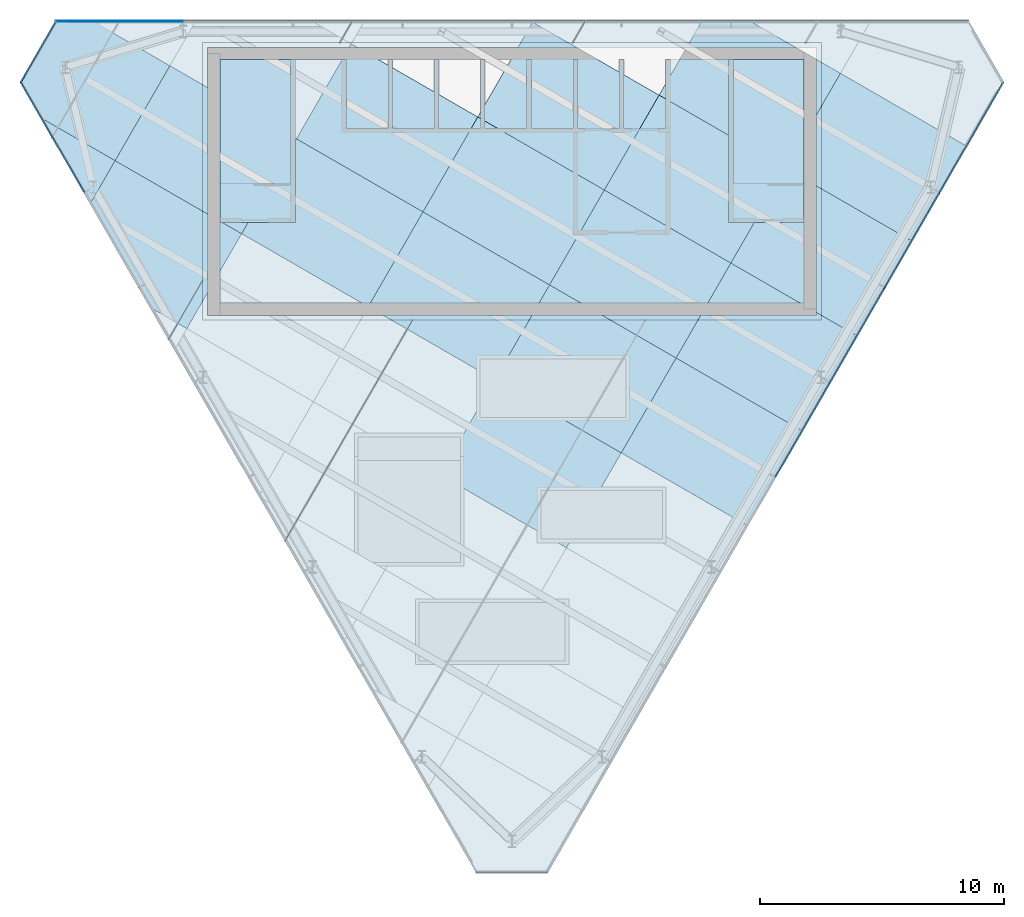
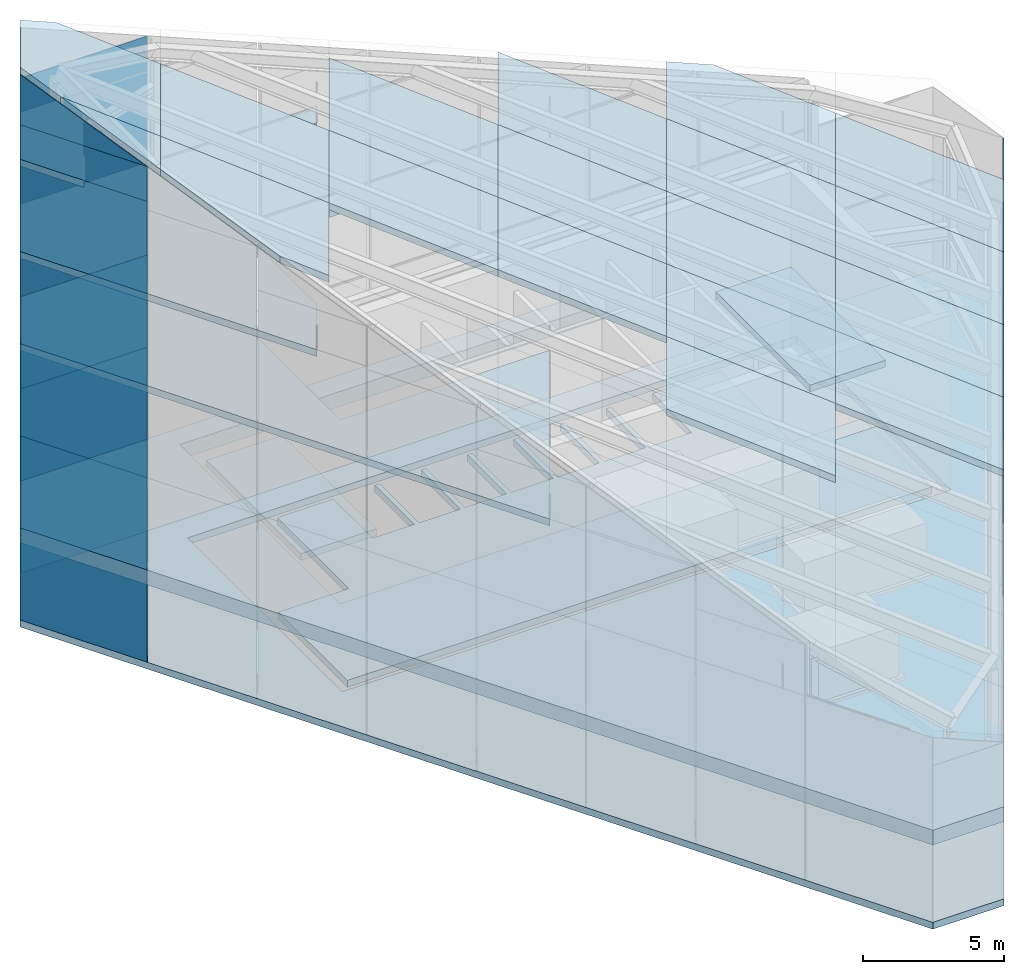
# One storey, part 12 of 16: 45 plates, 8 slabs, 4 elements without a shape of their own.
"""IFC4 building model written with IfcOpenShell, lengths in metres."""

from ifc_helpers import new_model, si_unit, direction, frame, origin, place, context, subcontext, project, spatial, polyline, outline, extrude, material, layer, layer_set, type_object, element, aggregate, save


model = new_model("IFC4")

# Units and contexts
model_context = context("Model", 3, precision=1e-05, world=origin(), true_north=direction((0.0, 1.0)))
body_context = subcontext(model_context, "Body", "Model", "MODEL_VIEW")
ifc_project = project(units=[si_unit("LENGTHUNIT", "METRE"), si_unit("AREAUNIT", "SQUARE_METRE"), si_unit("VOLUMEUNIT", "CUBIC_METRE"), si_unit("PLANEANGLEUNIT", "RADIAN"), si_unit("MASSUNIT", "GRAM", prefix="KILO")], contexts=[model_context])

# Site, building, storey
site_placement = place(None, origin())
site = spatial("IfcSite", under=ifc_project, at=site_placement, CompositionType="ELEMENT")
building_placement = place(site_placement, origin())
building = spatial("IfcBuilding", under=site, at=building_placement, Name="Altiplano Prism Tower", CompositionType="ELEMENT")
storey_placement = place(building_placement, frame((0.0, 0.0, 358.0)))
storey = spatial("IfcBuildingStorey", under=building, at=storey_placement, Name="Crown", CompositionType="ELEMENT", Elevation=358.0)

# Curtain wall, plates
ifc_material_1 = material(Name="Aluminium and glass", Category="aluminium")
ifc_layer_1 = layer(ifc_material_1, 0.25)
ifc_layer_set_1 = layer_set([ifc_layer_1], Name="Aluminium and glass")
curtain_wall_type = type_object("IfcCurtainWallType", Name="CW5 crown glazing", PredefinedType="NOTDEFINED", material=ifc_layer_set_1)
curtain_wall_1_placement = place(storey_placement, origin())
curtain_wall_1 = element("IfcCurtainWall", 1, at=curtain_wall_1_placement, inside=storey, type_object=curtain_wall_type, Name="CW5 crown glazing face 1", PredefinedType="NOTDEFINED")
ifc_material_2 = material(Name="Clear glass", Category="glass")
ifc_layer_2 = layer(ifc_material_2, 0.0400390625)
ifc_layer_set_2 = layer_set([ifc_layer_2], Name="Clear glass")
plate_type_1 = type_object("IfcPlateType", Name="CW5 insulated glass unit 40", PredefinedType="CURTAIN_PANEL", material=ifc_layer_set_2)
plate_1_placement = place(storey_placement, frame((71.47509765625, 105.0, 4.0), z_axis=(0.0, 1.0, 0.0), x_axis=(-1.0, 0.0, 0.0)))
plate_1 = element("IfcPlate", 2, at=plate_1_placement, type_object=plate_type_1, Name="CW5 panel", PredefinedType="CURTAIN_PANEL", context=body_context, shape_type="SweptSolid", body=[
    extrude(outline(polyline([(0.0, 0.0), (5.2109375, 0.0), (5.2109375, 4.0), (0.0, 4.0), (0.0, 0.0)])), origin(), (0.0, 0.0, -1.0), 0.0400390625),
])
plate_2_placement = place(storey_placement, frame((71.47509765625, 105.0, 8.0), z_axis=(0.0, 1.0, 0.0), x_axis=(-1.0, 0.0, 0.0)))
plate_2 = element("IfcPlate", 3, at=plate_2_placement, type_object=plate_type_1, Name="CW5 panel", PredefinedType="CURTAIN_PANEL", context=body_context, shape_type="SweptSolid", body=[
    extrude(outline(polyline([(0.0, 0.0), (5.2109375, 0.0), (5.2109375, 4.0), (0.0, 4.0), (0.0, 0.0)])), origin(), (0.0, 0.0, -1.0), 0.0400390625),
])
plate_3_placement = place(storey_placement, frame((71.47509765625, 105.0, 12.0), z_axis=(0.0, 1.0, 0.0), x_axis=(-1.0, 0.0, 0.0)))
plate_3 = element("IfcPlate", 4, at=plate_3_placement, type_object=plate_type_1, Name="CW5 panel", PredefinedType="CURTAIN_PANEL", context=body_context, shape_type="SweptSolid", body=[
    extrude(outline(polyline([(0.0, 0.0), (5.2109375, 0.0), (5.2109375, 4.0), (0.0, 4.0), (0.0, 0.0)])), origin(), (0.0, 0.0, -1.0), 0.0400390625),
])
plate_4_placement = place(storey_placement, frame((71.47509765625, 105.0, 16.0), z_axis=(0.0, 1.0, 0.0), x_axis=(-1.0, 0.0, 0.0)))
plate_4 = element("IfcPlate", 5, at=plate_4_placement, type_object=plate_type_1, Name="CW5 panel", PredefinedType="CURTAIN_PANEL", context=body_context, shape_type="SweptSolid", body=[
    extrude(outline(polyline([(0.0, 0.0), (5.2109375, 0.0), (5.2109375, 4.0), (0.0, 4.0), (0.0, 0.0)])), origin(), (0.0, 0.0, -1.0), 0.0400390625),
])
plate_5_placement = place(storey_placement, frame((71.47509765625, 105.0, 20.0), z_axis=(0.0, 1.0, 0.0), x_axis=(-1.0, 0.0, 0.0)))
plate_5 = element("IfcPlate", 6, at=plate_5_placement, type_object=plate_type_1, Name="CW5 panel", PredefinedType="CURTAIN_PANEL", context=body_context, shape_type="SweptSolid", body=[
    extrude(outline(polyline([(0.0, 0.0), (5.2109375, 0.0), (5.2109375, 1.50830078125), (0.0, 1.50830078125), (0.0, 0.0)])), origin(), (0.0, 0.0, -1.0), 0.0400390625),
])

curtain_wall_2_placement = place(storey_placement, origin())
curtain_wall_2 = element("IfcCurtainWall", 7, at=curtain_wall_2_placement, inside=storey, type_object=curtain_wall_type, Name="CW5 crown glazing chamfer 1", PredefinedType="NOTDEFINED")
plate_6_placement = place(storey_placement, frame((66.256591796875, 104.99560546875, 4.0), z_axis=(-0.866052996912, 0.499952204256, 0.0), x_axis=(-0.499952204256, -0.866052996912, 0.0)))
plate_6 = element("IfcPlate", 8, at=plate_6_placement, type_object=plate_type_1, Name="CW5 panel", PredefinedType="CURTAIN_PANEL", context=body_context, shape_type="SweptSolid", body=[
    extrude(outline(polyline([(0.0, 0.0), (2.912841796875, 0.0), (2.912841796875, 4.0), (0.0, 4.0), (0.0, 0.0)])), origin(), (0.0, 0.0, -1.0), 0.0400390625),
])
plate_7_placement = place(storey_placement, frame((66.256591796875, 104.99560546875, 8.0), z_axis=(-0.866052996912, 0.499952204256, 0.0), x_axis=(-0.499952204256, -0.866052996912, 0.0)))
plate_7 = element("IfcPlate", 9, at=plate_7_placement, type_object=plate_type_1, Name="CW5 panel", PredefinedType="CURTAIN_PANEL", context=body_context, shape_type="SweptSolid", body=[
    extrude(outline(polyline([(0.0, 0.0), (2.912841796875, 0.0), (2.912841796875, 4.0), (0.0, 4.0), (0.0, 0.0)])), origin(), (0.0, 0.0, -1.0), 0.0400390625),
])
plate_8_placement = place(storey_placement, frame((66.256591796875, 104.99560546875, 12.0), z_axis=(-0.866052996912, 0.499952204256, 0.0), x_axis=(-0.499952204256, -0.866052996912, 0.0)))
plate_8 = element("IfcPlate", 10, at=plate_8_placement, type_object=plate_type_1, Name="CW5 panel", PredefinedType="CURTAIN_PANEL", context=body_context, shape_type="SweptSolid", body=[
    extrude(outline(polyline([(0.0, 0.0), (2.912841796875, 0.0), (2.912841796875, 4.0), (0.0, 4.0), (0.0, 0.0)])), origin(), (0.0, 0.0, -1.0), 0.0400390625),
])
plate_9_placement = place(storey_placement, frame((66.256591796875, 104.99560546875, 16.0), z_axis=(-0.866052996912, 0.499952204256, 0.0), x_axis=(-0.499952204256, -0.866052996912, 0.0)))
plate_9 = element("IfcPlate", 11, at=plate_9_placement, type_object=plate_type_1, Name="CW5 panel", PredefinedType="CURTAIN_PANEL", context=body_context, shape_type="SweptSolid", body=[
    extrude(outline(polyline([(0.0, 0.0), (2.912841796875, 0.0), (2.912841796875, 4.0), (0.0, 4.0), (0.0, 0.0)])), origin(), (0.0, 0.0, -1.0), 0.0400390625),
])
plate_10_placement = place(storey_placement, frame((66.256591796875, 104.99560546875, 20.0), z_axis=(-0.866052996912, 0.499952204256, 0.0), x_axis=(-0.499952204256, -0.866052996912, 0.0)))
plate_10 = element("IfcPlate", 12, at=plate_10_placement, type_object=plate_type_1, Name="CW5 panel", PredefinedType="CURTAIN_PANEL", context=body_context, shape_type="SweptSolid", body=[
    extrude(outline(polyline([(0.0, 0.0), (2.912841796875, 0.0), (2.912841796875, 3.68994140625), (0.0, 3.68994140625), (0.0, 0.0)])), origin(), (0.0, 0.0, -1.0), 0.0400390625),
])

curtain_wall_3_placement = place(storey_placement, origin())
curtain_wall_3 = element("IfcCurtainWall", 13, at=curtain_wall_3_placement, inside=storey, type_object=curtain_wall_type, Name="CW5 crown glazing face 2", PredefinedType="NOTDEFINED")
plate_11_placement = place(storey_placement, frame((64.80029296875, 102.46435546875, 4.0), z_axis=(-0.86605217628, -0.499953625809, 0.0), x_axis=(0.499953625809, -0.86605217628, 0.0)))
plate_11 = element("IfcPlate", 14, at=plate_11_placement, type_object=plate_type_1, Name="CW5 panel", PredefinedType="CURTAIN_PANEL", context=body_context, shape_type="SweptSolid", body=[
    extrude(outline(polyline([(0.0, 0.0), (5.2109375, 0.0), (5.2109375, 4.0), (0.0, 4.0), (0.0, 0.0)])), origin(), (0.0, 0.0, -1.0), 0.0400390625),
])
plate_12_placement = place(storey_placement, frame((64.80029296875, 102.46435546875, 8.0), z_axis=(-0.86605217628, -0.499953625809, 0.0), x_axis=(0.499953625809, -0.86605217628, 0.0)))
plate_12 = element("IfcPlate", 15, at=plate_12_placement, type_object=plate_type_1, Name="CW5 panel", PredefinedType="CURTAIN_PANEL", context=body_context, shape_type="SweptSolid", body=[
    extrude(outline(polyline([(0.0, 0.0), (5.2109375, 0.0), (5.2109375, 4.0), (0.0, 4.0), (0.0, 0.0)])), origin(), (0.0, 0.0, -1.0), 0.0400390625),
])
plate_13_placement = place(storey_placement, frame((64.80029296875, 102.46435546875, 12.0), z_axis=(-0.86605217628, -0.499953625809, 0.0), x_axis=(0.499953625809, -0.86605217628, 0.0)))
plate_13 = element("IfcPlate", 16, at=plate_13_placement, type_object=plate_type_1, Name="CW5 panel", PredefinedType="CURTAIN_PANEL", context=body_context, shape_type="SweptSolid", body=[
    extrude(outline(polyline([(0.0, 0.0), (5.2109375, 0.0), (5.2109375, 4.0), (0.0, 4.0), (0.0, 0.0)])), origin(), (0.0, 0.0, -1.0), 0.0400390625),
])
plate_14_placement = place(storey_placement, frame((64.80029296875, 102.46435546875, 16.0), z_axis=(-0.86605217628, -0.499953625809, 0.0), x_axis=(0.499953625809, -0.86605217628, 0.0)))
plate_14 = element("IfcPlate", 17, at=plate_14_placement, type_object=plate_type_1, Name="CW5 panel", PredefinedType="CURTAIN_PANEL", context=body_context, shape_type="SweptSolid", body=[
    extrude(outline(polyline([(0.0, 0.0), (5.2109375, 0.0), (5.2109375, 4.0), (0.0, 4.0), (0.0, 0.0)])), origin(), (0.0, 0.0, -1.0), 0.0400390625),
])
plate_15_placement = place(storey_placement, frame((64.80029296875, 102.46435546875, 20.0), z_axis=(-0.86605217628, -0.499953625809, 0.0), x_axis=(0.499953625809, -0.86605217628, 0.0)))
plate_15 = element("IfcPlate", 18, at=plate_15_placement, type_object=plate_type_1, Name="CW5 panel", PredefinedType="CURTAIN_PANEL", context=body_context, shape_type="SweptSolid", body=[
    extrude(outline(polyline([(0.0, 0.0), (5.2109375, 0.0), (5.2109375, 1.50830078125), (0.0, 1.50830078125), (0.0, 0.0)])), origin(), (0.0, 0.0, -1.0), 0.0400390625),
])
plate_16_placement = place(storey_placement, frame((64.80029296875, 102.46435546875, 23.68798828125), z_axis=(-0.86605217628, -0.499953625809, 0.0), x_axis=(0.0, 0.0, -1.0)))
plate_16 = element("IfcPlate", 19, at=plate_16_placement, type_object=plate_type_1, Name="CW5 panel", PredefinedType="CURTAIN_PANEL", context=body_context, shape_type="SweptSolid", body=[
    extrude(outline(polyline([(0.0, 0.0), (2.1796875, 0.0), (2.1796875, 5.2109375), (0.0, 0.0)])), origin(), (0.0, 0.0, -1.0), 0.0400390625),
])

curtain_wall_4_placement = place(storey_placement, origin())
curtain_wall_4 = element("IfcCurtainWall", 20, at=curtain_wall_4_placement, inside=storey, type_object=curtain_wall_type, Name="CW5 crown glazing face 3", PredefinedType="NOTDEFINED")
plate_17_placement = place(storey_placement, frame((95.844482421875, 86.26025390625, 4.0), z_axis=(0.866036664382, -0.499980495566, 0.0), x_axis=(0.499980495566, 0.866036664382, 0.0)))
plate_17 = element("IfcPlate", 21, at=plate_17_placement, type_object=plate_type_1, Name="CW5 panel", PredefinedType="CURTAIN_PANEL", context=body_context, shape_type="SweptSolid", body=[
    extrude(outline(polyline([(0.0, 0.0), (4.449951171875, 0.0), (4.449951171875, 2.7900390625), (0.0, 2.7900390625), (0.0, 0.0)])), origin(), (0.0, 0.0, -1.0), 0.0400390625),
])
plate_18_placement = place(storey_placement, frame((98.094482421875, 90.1572265625, 4.0), z_axis=(0.866036664382, -0.499980495566, 0.0), x_axis=(0.499980495566, 0.866036664382, 0.0)))
plate_18 = element("IfcPlate", 22, at=plate_18_placement, type_object=plate_type_1, Name="CW5 panel", PredefinedType="CURTAIN_PANEL", context=body_context, shape_type="SweptSolid", body=[
    extrude(outline(polyline([(0.0, 0.0), (4.449951171875, 0.0), (4.449951171875, 2.7900390625), (0.0, 2.7900390625), (0.0, 0.0)])), origin(), (0.0, 0.0, -1.0), 0.0400390625),
])
plate_19_placement = place(storey_placement, frame((100.344482421875, 94.054443359375, 4.0), z_axis=(0.866036664382, -0.499980495566, 0.0), x_axis=(0.499980495566, 0.866036664382, 0.0)))
plate_19 = element("IfcPlate", 23, at=plate_19_placement, type_object=plate_type_1, Name="CW5 panel", PredefinedType="CURTAIN_PANEL", context=body_context, shape_type="SweptSolid", body=[
    extrude(outline(polyline([(0.0, 0.0), (4.449951171875, 0.0), (4.449951171875, 2.7900390625), (0.0, 2.7900390625), (0.0, 0.0)])), origin(), (0.0, 0.0, -1.0), 0.0400390625),
])
plate_20_placement = place(storey_placement, frame((102.594482421875, 97.951416015625, 4.0), z_axis=(0.86605217628, -0.499953625809, 0.0), x_axis=(0.499953625809, 0.86605217628, 0.0)))
plate_20 = element("IfcPlate", 24, at=plate_20_placement, type_object=plate_type_1, Name="CW5 panel", PredefinedType="CURTAIN_PANEL", context=body_context, shape_type="SweptSolid", body=[
    extrude(outline(polyline([(0.0, 0.0), (5.2109375, 0.0), (5.2109375, 2.7900390625), (0.0, 2.7900390625), (0.0, 0.0)])), origin(), (0.0, 0.0, -1.0), 0.0400390625),
])

# Plate
ifc_material_3 = material(Name="Anodised aluminium", Category="aluminium")
ifc_layer_3 = layer(ifc_material_3, 0.0400390625)
ifc_layer_set_3 = layer_set([ifc_layer_3], Name="Anodised aluminium")
plate_type_2 = type_object("IfcPlateType", Name="CW5 insulated metal spandrel panel 40", PredefinedType="CURTAIN_PANEL", material=ifc_layer_set_3)
plate_21_placement = place(storey_placement, frame((71.47509765625, 105.0, 0.0), z_axis=(0.0, 1.0, 0.0), x_axis=(-1.0, 0.0, 0.0)))
plate_21 = element("IfcPlate", 25, at=plate_21_placement, type_object=plate_type_2, Name="CW5 spandrel panel", PredefinedType="CURTAIN_PANEL", context=body_context, shape_type="SweptSolid", body=[
    extrude(outline(polyline([(0.0, 0.0), (5.2109375, 0.0), (5.2109375, 4.0), (0.0, 4.0), (0.0, 0.0)])), origin(), (0.0, 0.0, -1.0), 0.0400390625),
])

aggregate(curtain_wall_1, [plate_21, plate_1, plate_2, plate_3, plate_4, plate_5])

plate_22_placement = place(storey_placement, frame((66.256591796875, 104.99560546875, 0.0), z_axis=(-0.866052996912, 0.499952204256, 0.0), x_axis=(-0.499952204256, -0.866052996912, 0.0)))
plate_22 = element("IfcPlate", 26, at=plate_22_placement, type_object=plate_type_2, Name="CW5 spandrel panel", PredefinedType="CURTAIN_PANEL", context=body_context, shape_type="SweptSolid", body=[
    extrude(outline(polyline([(0.0, 0.0), (2.912841796875, 0.0), (2.912841796875, 4.0), (0.0, 4.0), (0.0, 0.0)])), origin(), (0.0, 0.0, -1.0), 0.0400390625),
])

aggregate(curtain_wall_2, [plate_22, plate_6, plate_7, plate_8, plate_9, plate_10])

plate_23_placement = place(storey_placement, frame((64.80029296875, 102.46435546875, 0.0), z_axis=(-0.86605217628, -0.499953625809, 0.0), x_axis=(0.499953625809, -0.86605217628, 0.0)))
plate_23 = element("IfcPlate", 27, at=plate_23_placement, type_object=plate_type_2, Name="CW5 spandrel panel", PredefinedType="CURTAIN_PANEL", context=body_context, shape_type="SweptSolid", body=[
    extrude(outline(polyline([(0.0, 0.0), (5.2109375, 0.0), (5.2109375, 4.0), (0.0, 4.0), (0.0, 0.0)])), origin(), (0.0, 0.0, -1.0), 0.0400390625),
])

aggregate(curtain_wall_3, [plate_23, plate_11, plate_12, plate_13, plate_14, plate_15, plate_16])

plate_24_placement = place(storey_placement, frame((95.844482421875, 86.26025390625, 0.0), z_axis=(0.866036664382, -0.499980495566, 0.0), x_axis=(0.499980495566, 0.866036664382, 0.0)))
plate_24 = element("IfcPlate", 28, at=plate_24_placement, type_object=plate_type_2, Name="CW5 spandrel panel", PredefinedType="CURTAIN_PANEL", context=body_context, shape_type="SweptSolid", body=[
    extrude(outline(polyline([(0.0, 0.0), (4.449951171875, 0.0), (4.449951171875, 4.0), (0.0, 4.0), (0.0, 0.0)])), origin(), (0.0, 0.0, -1.0), 0.0400390625),
])

plate_25_placement = place(storey_placement, frame((98.094482421875, 90.1572265625, 0.0), z_axis=(0.866036664382, -0.499980495566, 0.0), x_axis=(0.499980495566, 0.866036664382, 0.0)))
plate_25 = element("IfcPlate", 29, at=plate_25_placement, type_object=plate_type_2, Name="CW5 spandrel panel", PredefinedType="CURTAIN_PANEL", context=body_context, shape_type="SweptSolid", body=[
    extrude(outline(polyline([(0.0, 0.0), (4.449951171875, 0.0), (4.449951171875, 4.0), (0.0, 4.0), (0.0, 0.0)])), origin(), (0.0, 0.0, -1.0), 0.0400390625),
])

plate_26_placement = place(storey_placement, frame((100.344482421875, 94.054443359375, 0.0), z_axis=(0.866036664382, -0.499980495566, 0.0), x_axis=(0.499980495566, 0.866036664382, 0.0)))
plate_26 = element("IfcPlate", 30, at=plate_26_placement, type_object=plate_type_2, Name="CW5 spandrel panel", PredefinedType="CURTAIN_PANEL", context=body_context, shape_type="SweptSolid", body=[
    extrude(outline(polyline([(0.0, 0.0), (4.449951171875, 0.0), (4.449951171875, 4.0), (0.0, 4.0), (0.0, 0.0)])), origin(), (0.0, 0.0, -1.0), 0.0400390625),
])

plate_27_placement = place(storey_placement, frame((102.594482421875, 97.951416015625, 0.0), z_axis=(0.86605217628, -0.499953625809, 0.0), x_axis=(0.499953625809, 0.86605217628, 0.0)))
plate_27 = element("IfcPlate", 31, at=plate_27_placement, type_object=plate_type_2, Name="CW5 spandrel panel", PredefinedType="CURTAIN_PANEL", context=body_context, shape_type="SweptSolid", body=[
    extrude(outline(polyline([(0.0, 0.0), (5.2109375, 0.0), (5.2109375, 4.0), (0.0, 4.0), (0.0, 0.0)])), origin(), (0.0, 0.0, -1.0), 0.0400390625),
])

aggregate(curtain_wall_4, [plate_24, plate_17, plate_25, plate_18, plate_26, plate_19, plate_27, plate_20])

# Slabs
ifc_material_4 = material(Name="Concrete C40/50", Category="concrete")
ifc_layer_4 = layer(ifc_material_4, 0.300048828125)
ifc_layer_set_4 = layer_set([ifc_layer_4], Name="Concrete C40/50")
slab_type_1 = type_object("IfcSlabType", Name="Core floor slab 300", PredefinedType="FLOOR", material=ifc_layer_set_4)
slab_1_placement = place(storey_placement, frame((0.0, 0.0, -0.300048828125)))
element("IfcSlab", 32, at=slab_1_placement, inside=storey, type_object=slab_type_1, Name="Core floor slab Crown", PredefinedType="FLOOR", context=body_context, shape_type="SweptSolid", body=[
    extrude(outline(polyline([(97.0, 98.31005859375), (94.10009765625, 98.31005859375), (94.10009765625, 103.39990234375), (91.300048828125, 103.39990234375), (91.300048828125, 100.60009765625), (89.60009765625, 100.60009765625), (89.60009765625, 103.39990234375), (89.39990234375, 103.39990234375), (89.39990234375, 100.60009765625), (87.699951171875, 100.60009765625), (87.699951171875, 103.39990234375), (87.5, 103.39990234375), (87.5, 100.60009765625), (85.800048828125, 100.60009765625), (85.800048828125, 103.39990234375), (85.60009765625, 103.39990234375), (85.60009765625, 100.60009765625), (83.89990234375, 100.60009765625), (83.89990234375, 103.39990234375), (83.699951171875, 103.39990234375), (83.699951171875, 100.60009765625), (82.0, 100.60009765625), (82.0, 103.39990234375), (81.800048828125, 103.39990234375), (81.800048828125, 100.60009765625), (80.10009765625, 100.60009765625), (80.10009765625, 103.39990234375), (79.89990234375, 103.39990234375), (79.89990234375, 100.60009765625), (78.199951171875, 100.60009765625), (78.199951171875, 103.39990234375), (75.89990234375, 103.39990234375), (75.89990234375, 98.31005859375), (73.0, 98.31005859375), (73.0, 93.39990234375), (97.0, 93.39990234375), (97.0, 98.31005859375)])), origin(), (0.0, 0.0, 1.0), 0.300048828125),
])
ifc_layer_5 = layer(ifc_material_4, 0.300048828125)
ifc_layer_set_5 = layer_set([ifc_layer_5], Name="Concrete C40/50")
slab_type_2 = type_object("IfcSlabType", Name="Core roof slab 300", PredefinedType="ROOF", material=ifc_layer_set_5)
slab_2_placement = place(storey_placement, frame((0.0, 0.0, 3.199951171875)))
element("IfcSlab", 33, at=slab_2_placement, inside=storey, type_object=slab_type_2, Name="Stair 1 head-house roof", PredefinedType="ROOF", context=body_context, shape_type="SweptSolid", body=[
    extrude(outline(polyline([(76.10009765625, 96.699951171875), (76.10009765625, 103.39990234375), (73.0, 103.39990234375), (73.0, 96.699951171875), (76.10009765625, 96.699951171875)])), origin(), (0.0, 0.0, 1.0), 0.300048828125),
])
slab_3_placement = place(storey_placement, frame((0.0, 0.0, 3.199951171875)))
element("IfcSlab", 34, at=slab_3_placement, inside=storey, type_object=slab_type_2, Name="Stair 2 head-house roof", PredefinedType="ROOF", context=body_context, shape_type="SweptSolid", body=[
    extrude(outline(polyline([(97.0, 96.699951171875), (97.0, 103.39990234375), (93.89990234375, 103.39990234375), (93.89990234375, 96.699951171875), (97.0, 96.699951171875)])), origin(), (0.0, 0.0, 1.0), 0.300048828125),
])
ifc_layer_6 = layer(ifc_material_4, 0.300048828125)
ifc_layer_set_6 = layer_set([ifc_layer_6], Name="Concrete C40/50")
slab_type_3 = type_object("IfcSlabType", Name="Crown platform slab 300", PredefinedType="FLOOR", material=ifc_layer_set_6)
slab_4_placement = place(storey_placement, frame((0.0, 0.0, 11.699951171875)))
element("IfcSlab", 35, at=slab_4_placement, inside=storey, type_object=slab_type_3, Name="Crown platform slab 3", PredefinedType="FLOOR", context=body_context, shape_type="SweptSolid", body=[
    extrude(outline(polyline([(75.67578125, 83.626953125), (64.797607421875, 102.468505859375), (66.25927734375, 105.0), (88.015625, 105.0), (87.495849609375, 104.10009765625), (72.300048828125, 104.10009765625), (72.300048828125, 92.699951171875), (80.9140625, 92.699951171875), (75.67578125, 83.626953125)])), origin(), (0.0, 0.0, 1.0), 0.300048828125),
])
slab_5_placement = place(storey_placement, frame((0.0, 0.0, 15.699951171875)))
element("IfcSlab", 36, at=slab_5_placement, inside=storey, type_object=slab_type_3, Name="Crown platform slab 4", PredefinedType="FLOOR", context=body_context, shape_type="SweptSolid", body=[
    extrude(outline(polyline([(70.894287109375, 91.908935546875), (64.797607421875, 102.468505859375), (66.25927734375, 105.0), (78.452392578125, 105.0), (77.9326171875, 104.10009765625), (72.300048828125, 104.10009765625), (72.300048828125, 94.343994140625), (70.894287109375, 91.908935546875)])), origin(), (0.0, 0.0, 1.0), 0.300048828125),
])
slab_6_placement = place(storey_placement, frame((0.0, 0.0, 19.699951171875)))
element("IfcSlab", 37, at=slab_6_placement, inside=storey, type_object=slab_type_3, Name="Crown platform slab 5", PredefinedType="FLOOR", context=body_context, shape_type="SweptSolid", body=[
    extrude(outline(polyline([(66.112548828125, 100.19091796875), (64.797607421875, 102.468505859375), (66.25927734375, 105.0), (68.88916015625, 105.0), (66.112548828125, 100.19091796875)])), origin(), (0.0, 0.0, 1.0), 0.300048828125),
])
ifc_layer_7 = layer(ifc_material_4, 0.64990234375)
ifc_layer_set_7 = layer_set([ifc_layer_7], Name="Concrete C40/50")
slab_type_4 = type_object("IfcSlabType", Name="Crown platform slab 650", PredefinedType="FLOOR", material=ifc_layer_set_7)
slab_7_placement = place(storey_placement, frame((0.0, 0.0, 3.35009765625)))
element("IfcSlab", 38, at=slab_7_placement, inside=storey, type_object=slab_type_4, Name="Crown platform slab 1", PredefinedType="FLOOR", context=body_context, shape_type="SweptSolid", body=[
    extrude(outline(polyline([(105.202392578125, 102.468505859375), (86.46142578125, 70.008544921875), (83.53857421875, 70.008544921875), (64.797607421875, 102.468505859375), (66.25927734375, 105.0), (103.74072265625, 105.0), (105.202392578125, 102.468505859375)]), holes=[polyline([(97.699951171875, 92.699951171875), (97.699951171875, 104.10009765625), (72.300048828125, 104.10009765625), (72.300048828125, 92.699951171875), (97.699951171875, 92.699951171875)])]), origin(), (0.0, 0.0, 1.0), 0.64990234375),
])

# Plates
ifc_material_5 = material(Name="Laminated glass roof panel", Category="glass")
ifc_layer_8 = layer(ifc_material_5, 0.300048828125)
ifc_layer_set_8 = layer_set([ifc_layer_8], Name="Laminated glass roof panel")
plate_type_3 = type_object("IfcPlateType", Name="Crown roof glazing panel 300", PredefinedType="SHEET", material=ifc_layer_set_8)
plate_28_placement = place(storey_placement, frame((103.68310546875, 99.837158203125, 7.10009765625), z_axis=(0.376621756007, -0.217436954417, 0.900487214654), x_axis=(-0.779849930288, 0.450234727654, 0.434882485557)))
element("IfcPlate", 39, at=plate_28_placement, inside=storey, type_object=plate_type_3, Name="Crown roof glazing panel 1.2", PredefinedType="SHEET", context=body_context, shape_type="SweptSolid", body=[
    extrude(outline(polyline([(0.0, 0.0), (6.6630859375, 0.0), (6.6630859375, 4.5), (0.0, 4.5), (0.0, 0.0)])), origin(), (-0.434882485557, 0.0, -0.900487214654), 0.300048828125),
])
plate_29_placement = place(storey_placement, frame((101.43310546875, 95.93994140625, 7.10009765625), z_axis=(0.376615857581, -0.217447170998, 0.900487214592), x_axis=(-0.779849930288, 0.450234727654, 0.434882485557)))
element("IfcPlate", 40, at=plate_29_placement, inside=storey, type_object=plate_type_3, Name="Crown roof glazing panel 1.3", PredefinedType="SHEET", context=body_context, shape_type="SweptSolid", body=[
    extrude(outline(polyline([(0.0, 0.0), (6.6630859375, 0.0), (6.663330078125, 4.499755859375), (0.0, 4.499755859375), (0.0, 0.0)])), origin(), (-0.434882485557, 1.0623076e-05, -0.900487214592), 0.300048828125),
])
plate_30_placement = place(storey_placement, frame((99.18310546875, 92.04296875, 7.10009765625), z_axis=(0.376621756007, -0.217436954417, 0.900487214654), x_axis=(-0.779849930288, 0.450234727654, 0.434882485557)))
element("IfcPlate", 41, at=plate_30_placement, inside=storey, type_object=plate_type_3, Name="Crown roof glazing panel 1.4", PredefinedType="SHEET", context=body_context, shape_type="SweptSolid", body=[
    extrude(outline(polyline([(0.0, 0.0), (6.6630859375, 0.0), (6.6630859375, 4.5), (0.0, 4.5), (0.0, 0.0)])), origin(), (-0.434882485557, 0.0, -0.900487214654), 0.300048828125),
])
plate_31_placement = place(storey_placement, frame((96.93310546875, 88.145751953125, 7.10009765625), z_axis=(0.376615857581, -0.217447170998, 0.900487214592), x_axis=(-0.779849930288, 0.450234727654, 0.434882485557)))
element("IfcPlate", 42, at=plate_31_placement, inside=storey, type_object=plate_type_3, Name="Crown roof glazing panel 1.5", PredefinedType="SHEET", context=body_context, shape_type="SweptSolid", body=[
    extrude(outline(polyline([(0.0, 0.0), (6.6630859375, 0.0), (6.663330078125, 4.499755859375), (0.0, 4.499755859375), (0.0, 0.0)])), origin(), (-0.434882485557, 1.0623076e-05, -0.900487214592), 0.300048828125),
])
plate_32_placement = place(storey_placement, frame((92.8076171875, 105.0, 12.895751953125), z_axis=(0.376667626568, -0.217446060706, 0.900465829323), x_axis=(-0.500013127339, -0.866017824076, 2.9533137e-05)))
element("IfcPlate", 43, at=plate_32_placement, inside=storey, type_object=plate_type_3, Name="Crown roof glazing panel 2.2", PredefinedType="SHEET", context=body_context, shape_type="SweptSolid", body=[
    extrude(outline(polyline([(0.0, 0.0), (3.533447265625, 0.0), (3.533447265625, 6.6630859375), (-0.966796875, 6.662841796875), (-0.966552734375, 1.859130859375), (0.0, 0.0)])), origin(), (-2.9533137e-05, 0.434926763201, -0.900465829323), 0.300048828125),
])
plate_33_placement = place(storey_placement, frame((96.23681640625, 98.93994140625, 9.997802734375), z_axis=(0.376652348816, -0.217468239988, 0.900466863759), x_axis=(-0.779823145819, 0.450240417978, 0.434924622509)))
element("IfcPlate", 44, at=plate_33_placement, inside=storey, type_object=plate_type_3, Name="Crown roof glazing panel 2.3", PredefinedType="SHEET", context=body_context, shape_type="SweptSolid", body=[
    extrude(outline(polyline([(0.0, 0.0), (6.6630859375, 0.0), (6.6630859375, 4.499755859375), (0.0, 4.499755859375), (0.0, 0.0)])), origin(), (-0.434924622509, 2.65606e-06, -0.900466863759), 0.300048828125),
])
plate_34_placement = place(storey_placement, frame((93.98681640625, 95.04296875, 9.997802734375), z_axis=(0.376658247982, -0.217458022514, 0.900466863728), x_axis=(-0.779823145819, 0.450240417978, 0.434924622509)))
element("IfcPlate", 45, at=plate_34_placement, inside=storey, type_object=plate_type_3, Name="Crown roof glazing panel 2.4", PredefinedType="SHEET", context=body_context, shape_type="SweptSolid", body=[
    extrude(outline(polyline([(0.0, 0.0), (6.6630859375, 0.0), (6.6630859375, 4.5), (0.0, 4.5), (0.0, 0.0)])), origin(), (-0.434924622509, -7.967805e-06, -0.900466863728), 0.300048828125),
])
plate_35_placement = place(storey_placement, frame((91.73681640625, 91.145751953125, 9.997802734375), z_axis=(0.376652348816, -0.217468239988, 0.900466863759), x_axis=(-0.779823145819, 0.450240417978, 0.434924622509)))
element("IfcPlate", 46, at=plate_35_placement, inside=storey, type_object=plate_type_3, Name="Crown roof glazing panel 2.5", PredefinedType="SHEET", context=body_context, shape_type="SweptSolid", body=[
    extrude(outline(polyline([(0.0, 0.0), (6.6630859375, 0.0), (6.6630859375, 4.499755859375), (0.0, 4.499755859375), (0.0, 0.0)])), origin(), (-0.434924622509, 2.65606e-06, -0.900466863759), 0.300048828125),
])
plate_36_placement = place(storey_placement, frame((89.48681640625, 87.248779296875, 9.997802734375), z_axis=(0.376658247982, -0.217458022514, 0.900466863728), x_axis=(-0.779823145819, 0.450240417978, 0.434924622509)))
element("IfcPlate", 47, at=plate_36_placement, inside=storey, type_object=plate_type_3, Name="Crown roof glazing panel 2.6", PredefinedType="SHEET", context=body_context, shape_type="SweptSolid", body=[
    extrude(outline(polyline([(0.0, 0.0), (6.6630859375, 0.0), (6.6630859375, 4.5), (0.0, 4.5), (0.0, 0.0)])), origin(), (-0.434924622509, -7.967805e-06, -0.900466863728), 0.300048828125),
])
plate_37_placement = place(storey_placement, frame((91.040771484375, 101.93994140625, 12.895751953125), z_axis=(0.376615857581, -0.217447170998, 0.900487214592), x_axis=(-0.779849930288, 0.450234727654, 0.434882485557)))
element("IfcPlate", 48, at=plate_37_placement, inside=storey, type_object=plate_type_3, Name="Crown roof glazing panel 3.3", PredefinedType="SHEET", context=body_context, shape_type="SweptSolid", body=[
    extrude(outline(polyline([(0.0, 0.0), (6.6630859375, 0.0), (6.663330078125, 4.499755859375), (0.0, 4.499755859375), (0.0, 0.0)])), origin(), (-0.434882485557, 1.0623076e-05, -0.900487214592), 0.300048828125),
])
plate_38_placement = place(storey_placement, frame((88.790771484375, 98.04296875, 12.895751953125), z_axis=(0.376621756007, -0.217436954417, 0.900487214654), x_axis=(-0.779849930288, 0.450234727654, 0.434882485557)))
element("IfcPlate", 49, at=plate_38_placement, inside=storey, type_object=plate_type_3, Name="Crown roof glazing panel 3.4", PredefinedType="SHEET", context=body_context, shape_type="SweptSolid", body=[
    extrude(outline(polyline([(0.0, 0.0), (6.6630859375, 0.0), (6.6630859375, 4.5), (0.0, 4.5), (0.0, 0.0)])), origin(), (-0.434882485557, 0.0, -0.900487214654), 0.300048828125),
])
plate_39_placement = place(storey_placement, frame((86.540771484375, 94.145751953125, 12.895751953125), z_axis=(0.376615857581, -0.217447170998, 0.900487214592), x_axis=(-0.779849930288, 0.450234727654, 0.434882485557)))
element("IfcPlate", 50, at=plate_39_placement, inside=storey, type_object=plate_type_3, Name="Crown roof glazing panel 3.5", PredefinedType="SHEET", context=body_context, shape_type="SweptSolid", body=[
    extrude(outline(polyline([(0.0, 0.0), (6.6630859375, 0.0), (6.663330078125, 4.499755859375), (0.0, 4.499755859375), (0.0, 0.0)])), origin(), (-0.434882485557, 1.0623076e-05, -0.900487214592), 0.300048828125),
])
plate_40_placement = place(storey_placement, frame((83.594482421875, 101.04296875, 15.79345703125), z_axis=(0.376658247982, -0.217458022514, 0.900466863728), x_axis=(-0.779823145819, 0.450240417978, 0.434924622509)))
element("IfcPlate", 51, at=plate_40_placement, inside=storey, type_object=plate_type_3, Name="Crown roof glazing panel 4.4", PredefinedType="SHEET", context=body_context, shape_type="SweptSolid", body=[
    extrude(outline(polyline([(0.0, 0.0), (6.6630859375, 0.0), (6.6630859375, 4.5), (0.0, 4.5), (0.0, 0.0)])), origin(), (-0.434924622509, -7.967805e-06, -0.900466863728), 0.300048828125),
])
plate_41_placement = place(storey_placement, frame((81.344482421875, 97.145751953125, 15.79345703125), z_axis=(0.376652348816, -0.217468239988, 0.900466863759), x_axis=(-0.779823145819, 0.450240417978, 0.434924622509)))
element("IfcPlate", 52, at=plate_41_placement, inside=storey, type_object=plate_type_3, Name="Crown roof glazing panel 4.5", PredefinedType="SHEET", context=body_context, shape_type="SweptSolid", body=[
    extrude(outline(polyline([(0.0, 0.0), (6.6630859375, 0.0), (6.6630859375, 4.499755859375), (0.0, 4.499755859375), (0.0, 0.0)])), origin(), (-0.434924622509, 2.65606e-06, -0.900466863759), 0.300048828125),
])
plate_42_placement = place(storey_placement, frame((76.1484375, 100.145751953125, 18.69140625), z_axis=(0.376626619051, -0.217453384361, 0.90048121327), x_axis=(-0.779835572795, 0.450247592844, 0.434894912066)))
element("IfcPlate", 53, at=plate_42_placement, inside=storey, type_object=plate_type_3, Name="Crown roof glazing panel 5.5", PredefinedType="SHEET", context=body_context, shape_type="SweptSolid", body=[
    extrude(outline(polyline([(0.0, 0.0), (6.6630859375, 0.0), (6.6630859375, 4.499755859375), (0.0, 4.499755859375), (0.0, 0.0)])), origin(), (-0.434894912066, 2.655921e-06, -0.90048121327), 0.300048828125),
])
plate_43_placement = place(storey_placement, frame((70.1337890625, 93.22607421875, 19.5361328125), z_axis=(0.376633516518, -0.217440602981, 0.900481414806), x_axis=(0.77983330775, -0.450251919143, -0.434894494599)))
element("IfcPlate", 54, at=plate_43_placement, inside=storey, type_object=plate_type_3, Name="Crown roof glazing panel 5.6", PredefinedType="SHEET", context=body_context, shape_type="SweptSolid", body=[
    extrude(outline(polyline([(0.0, 0.0), (1.9423828125, 0.0), (1.942138671875, 4.5), (-4.720703125, 4.5), (-4.720703125, 2.4541015625), (0.0, 0.0)])), origin(), (0.434894494599, 1.2538964e-05, -0.900481414806), 0.300048828125),
])
plate_44_placement = place(storey_placement, frame((65.6337890625, 101.020263671875, 23.300537109375), z_axis=(0.376653163682, -0.217469925257, 0.900466115907), x_axis=(0.77984575483, -0.450199761371, -0.434926170212)))
element("IfcPlate", 55, at=plate_44_placement, inside=storey, type_object=plate_type_3, Name="Crown roof glazing panel 6.5", PredefinedType="SHEET", context=body_context, shape_type="SweptSolid", body=[
    extrude(outline(polyline([(0.0, 0.0), (3.934814453125, 0.0), (3.93505859375, 4.499755859375), (-0.183349609375, 4.5), (-1.608154296875, 3.75927734375), (-1.6083984375, 0.836181640625), (0.0, 0.0)])), origin(), (0.434926170212, -2.3833605e-05, -0.900466115907), 0.300048828125),
])
plate_45_placement = place(storey_placement, frame((67.679443359375, 97.47705078125, 21.589111328125), z_axis=(0.376660670563, -0.217473916172, 0.900462011989), x_axis=(0.500015134316, 0.866016665807, 0.0)))
element("IfcPlate", 56, at=plate_45_placement, inside=storey, type_object=plate_type_3, Name="Crown roof glazing panel 6.6", PredefinedType="SHEET", context=body_context, shape_type="SweptSolid", body=[
    extrude(outline(polyline([(0.0, 0.0), (2.0458984375, 0.0), (2.045654296875, 3.934814453125), (0.0, 0.0)])), origin(), (0.0, -0.434934667466, -0.900462011989), 0.300048828125),
])

# Slab
ifc_layer_9 = layer(ifc_material_4, 0.300048828125)
ifc_layer_set_9 = layer_set([ifc_layer_9], Name="Concrete C40/50")
slab_type_5 = type_object("IfcSlabType", Name="Post-tensioned flat slab 300", PredefinedType="FLOOR", material=ifc_layer_set_9)
slab_8_placement = place(storey_placement, frame((0.0, 0.0, -0.300048828125)))
element("IfcSlab", 57, at=slab_8_placement, inside=storey, type_object=slab_type_5, Name="Crown floor slab", PredefinedType="FLOOR", context=body_context, shape_type="SweptSolid", body=[
    extrude(outline(polyline([(105.202392578125, 102.468505859375), (86.46142578125, 70.008544921875), (83.53857421875, 70.008544921875), (64.797607421875, 102.468505859375), (66.25927734375, 105.0), (103.74072265625, 105.0), (105.202392578125, 102.468505859375)]), holes=[polyline([(97.5, 92.89990234375), (97.5, 103.89990234375), (72.5, 103.89990234375), (72.5, 92.89990234375), (97.5, 92.89990234375)])]), origin(), (0.0, 0.0, 1.0), 0.300048828125),
])

save(model, "model.ifc")
